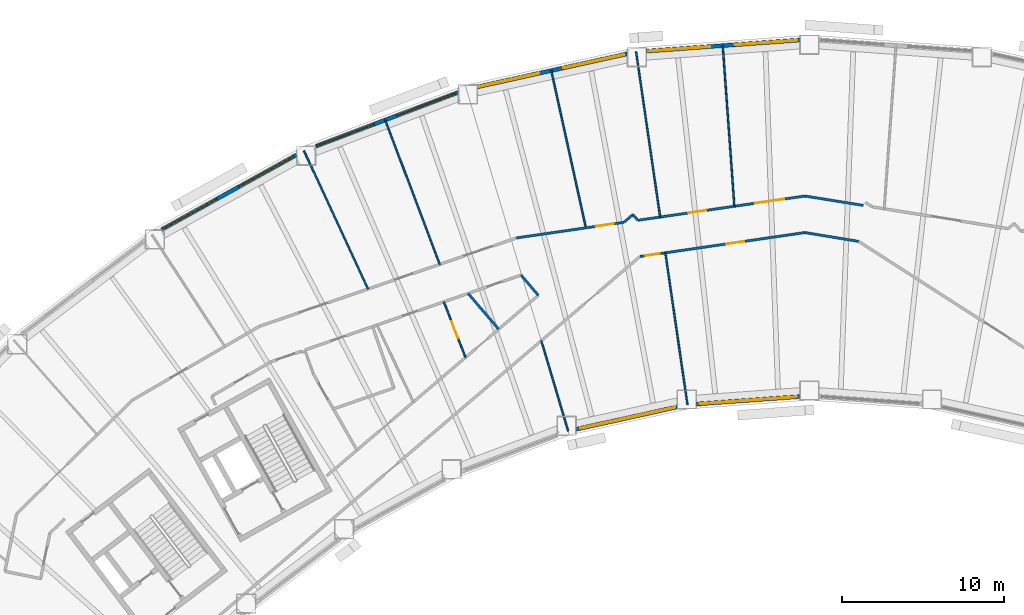
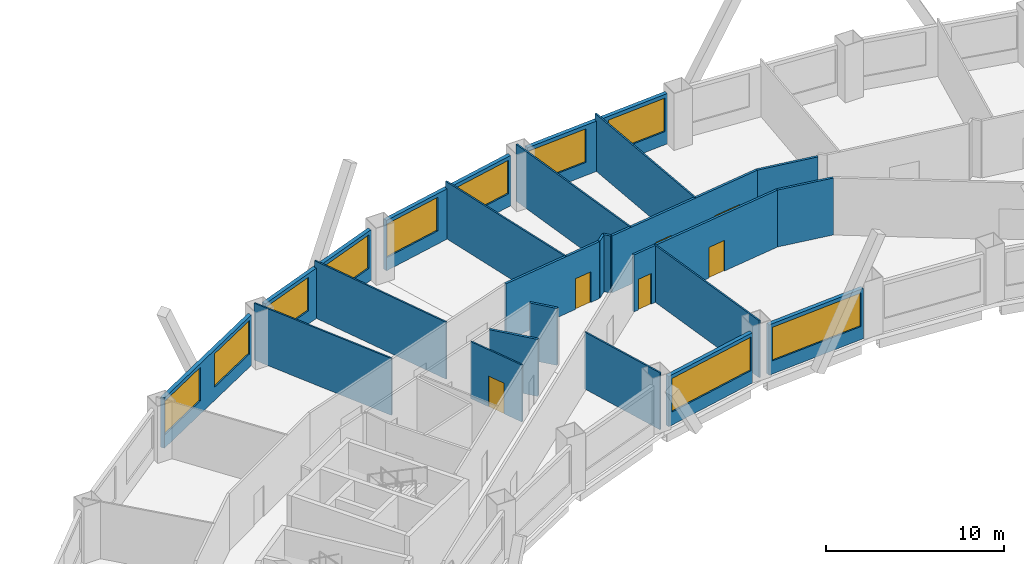
# One storey, part 5 of 12: 23 walls, 10 windows, 6 doors, 16 openings.
"""IFC4 building model written with IfcOpenShell, lengths in metres."""

from ifc_helpers import new_model, si_unit, direction, frame, frame_2d, origin, place, context, subcontext, project, spatial, rectangle, extrude, material, layer, layer_set, type_object, element, fill, save


model = new_model("IFC4")

# Units and contexts
model_context = context("Model", 3, precision=1e-05, world=origin(), true_north=direction((0.0, 1.0)))
body_context = subcontext(model_context, "Body", "Model", "MODEL_VIEW")
ifc_project = project(units=[si_unit("LENGTHUNIT", "METRE"), si_unit("AREAUNIT", "SQUARE_METRE"), si_unit("VOLUMEUNIT", "CUBIC_METRE"), si_unit("PLANEANGLEUNIT", "RADIAN"), si_unit("MASSUNIT", "GRAM", prefix="KILO")], contexts=[model_context])

# Site, building, storey
site_placement = place(None, origin())
site = spatial("IfcSite", under=ifc_project, at=site_placement, CompositionType="ELEMENT")
building_placement = place(site_placement, origin())
building = spatial("IfcBuilding", under=site, at=building_placement, Name="Tuul Gate Civic Tower", CompositionType="ELEMENT")
storey_placement = place(building_placement, frame((0.0, 0.0, 73.800048828125)))
storey = spatial("IfcBuildingStorey", under=building, at=storey_placement, Name="Level 16", CompositionType="ELEMENT", Elevation=73.800048828125)

# Wall
ifc_material_1 = material(Name="Gypsum board partition")
ifc_layer_1 = layer(ifc_material_1, 0.14990234375)
ifc_layer_set_1 = layer_set([ifc_layer_1], Name="Gypsum board partition")
wall_type_1 = type_object("IfcWallType", Name="Corridor wall P150", PredefinedType="PARTITIONING", material=ifc_layer_set_1)
wall_1_placement = place(storey_placement, frame((4.52978515625, 9.362060546875, 0.0), z_axis=(0.0, 0.0, 1.0), x_axis=(0.987352818749, -0.158538359108, 0.0)))
element("IfcWall", 1, at=wall_1_placement, inside=storey, type_object=wall_type_1, Name="p015", PredefinedType="PARTITIONING", context=body_context, shape_type="SweptSolid", body=[
    extrude(rectangle(XDim=3.649658203125, YDim=0.14990234375, at=frame_2d((1.82470703125, 0.0))), origin(), (0.0, 0.0, 1.0), 3.89990234375),
])

# Wall, opening, door
wall_2_placement = place(storey_placement, frame((-13.267333984375, 6.775634765625, 0.0), z_axis=(0.0, 0.0, 1.0), x_axis=(0.989601938801, 0.143833246233, 0.0)))
wall_2 = element("IfcWall", 2, at=wall_2_placement, inside=storey, type_object=wall_type_1, Name="p026", PredefinedType="PARTITIONING", context=body_context, shape_type="SweptSolid", body=[
    extrude(rectangle(XDim=6.687744140625, YDim=0.14990234375, at=frame_2d((3.34375, 0.0))), origin(), (0.0, 0.0, 1.0), 3.89990234375),
])
opening_1_placement = place(wall_2_placement, frame((4.95703125, 0.0, 0.0)))
opening_1 = element("IfcOpeningElement", 3, at=opening_1_placement, cuts=wall_2, Name="Opening E-D09", PredefinedType="OPENING", context=body_context, shape_type="SweptSolid", body=[
    extrude(rectangle(XDim=1.10009765625, YDim=2.10009765625, at=frame_2d((0.550048828125, 1.050048828125))), frame((0.0, 0.0849609375, 0.0), z_axis=(0.0, -1.0, 0.0), x_axis=(1.0, 0.0, 0.0)), (0.0, 0.0, 1.0), 0.169921875),
])
ifc_material_2 = material(Name="Timber door leaf", Category="wood")
door_type_1 = type_object("IfcDoorType", Name="Door D11", OperationType="NOTDEFINED", PredefinedType="DOOR", material=ifc_material_2)
door_1_placement = place(opening_1_placement, origin())
door_1 = element("IfcDoor", 4, at=door_1_placement, inside=storey, type_object=door_type_1, Name="Door E-D09", OperationType="SINGLE_SWING_LEFT", OverallHeight=2.10009765625, OverallWidth=1.10009765625, PredefinedType="DOOR", context=body_context, shape_type="SweptSolid", body=[
    extrude(rectangle(XDim=1.10009765625, YDim=2.10009765625, at=frame_2d((0.550048828125, 1.050048828125))), frame((0.0, 0.02490234375, 0.0), z_axis=(0.0, -1.0, 0.0), x_axis=(1.0, 0.0, 0.0)), (0.0, 0.0, 1.0), 0.050048828125),
])
fill(opening_1, door_1)

# Wall, openings, doors
wall_3_placement = place(storey_placement, frame((-5.7685546875, 7.865478515625, 0.0), z_axis=(0.0, 0.0, 1.0), x_axis=(0.98960308203, 0.143825380361, 0.0)))
wall_3 = element("IfcWall", 5, at=wall_3_placement, inside=storey, type_object=wall_type_1, Name="p027", PredefinedType="PARTITIONING", context=body_context, shape_type="SweptSolid", body=[
    extrude(rectangle(XDim=10.405517578125, YDim=0.14990234375, at=frame_2d((5.20263671875, 0.0))), origin(), (0.0, 0.0, 1.0), 3.89990234375),
])
opening_2_placement = place(wall_3_placement, frame((7.307373046875, 0.0, 0.0)))
opening_2 = element("IfcOpeningElement", 6, at=opening_2_placement, cuts=wall_3, Name="Opening E-D07", PredefinedType="OPENING", context=body_context, shape_type="SweptSolid", body=[
    extrude(rectangle(XDim=1.800048828125, YDim=2.10009765625, at=frame_2d((0.89990234375, 1.050048828125))), frame((0.0, 0.0849609375, 0.0), z_axis=(0.0, -1.0, 0.0), x_axis=(1.0, 0.0, 0.0)), (0.0, 0.0, 1.0), 0.169921875),
])
opening_3_placement = place(wall_3_placement, frame((3.144287109375, 0.0, 0.0)))
opening_3 = element("IfcOpeningElement", 7, at=opening_3_placement, cuts=wall_3, Name="Opening E-D08", PredefinedType="OPENING", context=body_context, shape_type="SweptSolid", body=[
    extrude(rectangle(XDim=1.10009765625, YDim=2.10009765625, at=frame_2d((0.550048828125, 1.050048828125))), frame((0.0, 0.0849609375, 0.0), z_axis=(0.0, -1.0, 0.0), x_axis=(1.0, 0.0, 0.0)), (0.0, 0.0, 1.0), 0.169921875),
])
door_2_placement = place(opening_3_placement, origin())
door_2 = element("IfcDoor", 8, at=door_2_placement, inside=storey, type_object=door_type_1, Name="Door E-D08", OperationType="SINGLE_SWING_RIGHT", OverallHeight=2.10009765625, OverallWidth=1.10009765625, PredefinedType="DOOR", context=body_context, shape_type="SweptSolid", body=[
    extrude(rectangle(XDim=1.10009765625, YDim=2.10009765625, at=frame_2d((0.550048828125, 1.050048828125))), frame((0.0, 0.02490234375, 0.0), z_axis=(0.0, -1.0, 0.0), x_axis=(1.0, 0.0, 0.0)), (0.0, 0.0, 1.0), 0.050048828125),
])
fill(opening_3, door_2)
ifc_material_3 = material(Name="Timber door leaf, double", Category="wood")
door_type_2 = type_object("IfcDoorType", Name="Door D18", OperationType="DOUBLE_DOOR_SINGLE_SWING", PredefinedType="DOOR", material=ifc_material_3)
door_3_placement = place(opening_2_placement, origin())
door_3 = element("IfcDoor", 9, at=door_3_placement, inside=storey, type_object=door_type_2, Name="Door E-D07", OperationType="DOUBLE_DOOR_SINGLE_SWING", OverallHeight=2.10009765625, OverallWidth=1.800048828125, PredefinedType="DOOR", context=body_context, shape_type="SweptSolid", body=[
    extrude(rectangle(XDim=1.800048828125, YDim=2.10009765625, at=frame_2d((0.89990234375, 1.050048828125))), frame((0.0, 0.02490234375, 0.0), z_axis=(0.0, -1.0, 0.0), x_axis=(1.0, 0.0, 0.0)), (0.0, 0.0, 1.0), 0.050048828125),
])
fill(opening_2, door_3)

# Walls
wall_4_placement = place(storey_placement, frame((-6.081298828125, 8.217529296875, 0.0), z_axis=(0.0, 0.0, 1.0), x_axis=(0.649239612562, -0.760583937169, 0.0)))
element("IfcWall", 10, at=wall_4_placement, inside=storey, type_object=wall_type_1, Name="p031", PredefinedType="PARTITIONING", context=body_context, shape_type="SweptSolid", body=[
    extrude(rectangle(XDim=0.453857421875, YDim=0.14990234375, at=frame_2d((0.22705078125, 0.0))), origin(), (0.0, 0.0, 1.0), 3.89990234375),
])
wall_5_placement = place(storey_placement, frame((-6.63916015625, 7.741943359375, 0.0), z_axis=(0.0, 0.0, 1.0), x_axis=(0.760712969529, 0.64908842078, 0.0)))
element("IfcWall", 11, at=wall_5_placement, inside=storey, type_object=wall_type_1, Name="p033", PredefinedType="PARTITIONING", context=body_context, shape_type="SweptSolid", body=[
    extrude(rectangle(XDim=0.732666015625, YDim=0.14990234375, at=frame_2d((0.3662109375, 0.0))), origin(), (0.0, 0.0, 1.0), 3.89990234375),
])

# Wall, openings, doors
wall_6_placement = place(storey_placement, frame((-5.643798828125, 5.62939453125, 0.0), z_axis=(0.0, 0.0, 1.0), x_axis=(0.989631274863, 0.143631263354, 0.0)))
wall_6 = element("IfcWall", 12, at=wall_6_placement, inside=storey, type_object=wall_type_1, Name="p047", PredefinedType="PARTITIONING", context=body_context, shape_type="SweptSolid", body=[
    extrude(rectangle(XDim=10.28369140625, YDim=0.14990234375, at=frame_2d((5.141845703125, 0.0))), origin(), (0.0, 0.0, 1.0), 3.89990234375),
])
opening_4_placement = place(wall_6_placement, frame((5.380859375, 0.0, 0.0)))
opening_4 = element("IfcOpeningElement", 13, at=opening_4_placement, cuts=wall_6, Name="Opening E-D29", PredefinedType="OPENING", context=body_context, shape_type="SweptSolid", body=[
    extrude(rectangle(XDim=1.10009765625, YDim=2.10009765625, at=frame_2d((0.550048828125, 1.050048828125))), frame((0.0, 0.0849609375, 0.0), z_axis=(0.0, -1.0, 0.0), x_axis=(1.0, 0.0, 0.0)), (0.0, 0.0, 1.0), 0.169921875),
])
opening_5_placement = place(wall_6_placement, frame((0.339111328125, 0.0, 0.0)))
opening_5 = element("IfcOpeningElement", 14, at=opening_5_placement, cuts=wall_6, Name="Opening E-D30", PredefinedType="OPENING", context=body_context, shape_type="SweptSolid", body=[
    extrude(rectangle(XDim=0.89990234375, YDim=2.10009765625, at=frame_2d((0.449951171875, 1.050048828125))), frame((0.0, 0.0849609375, 0.0), z_axis=(0.0, -1.0, 0.0), x_axis=(1.0, 0.0, 0.0)), (0.0, 0.0, 1.0), 0.169921875),
])
ifc_material_4 = material(Name="Timber door leaf", Category="wood")
door_type_3 = type_object("IfcDoorType", Name="Door D09", OperationType="NOTDEFINED", PredefinedType="DOOR", material=ifc_material_4)
door_4_placement = place(opening_5_placement, frame((0.89990234375, 0.0, 0.0), z_axis=(0.0, 0.0, 1.0), x_axis=(-1.0, 0.0, 0.0)))
door_4 = element("IfcDoor", 15, at=door_4_placement, inside=storey, type_object=door_type_3, Name="Door E-D30", OperationType="SINGLE_SWING_LEFT", OverallHeight=2.10009765625, OverallWidth=0.89990234375, PredefinedType="DOOR", context=body_context, shape_type="SweptSolid", body=[
    extrude(rectangle(XDim=0.89990234375, YDim=2.10009765625, at=frame_2d((0.449951171875, 1.050048828125))), frame((0.0, 0.02490234375, 0.0), z_axis=(0.0, -1.0, 0.0), x_axis=(1.0, 0.0, 0.0)), (0.0, 0.0, 1.0), 0.050048828125),
])
fill(opening_5, door_4)
door_5_placement = place(opening_4_placement, frame((1.10009765625, 0.0, 0.0), z_axis=(0.0, 0.0, 1.0), x_axis=(-1.0, 0.0, 0.0)))
door_5 = element("IfcDoor", 16, at=door_5_placement, inside=storey, type_object=door_type_1, Name="Door E-D29", OperationType="SINGLE_SWING_LEFT", OverallHeight=2.10009765625, OverallWidth=1.10009765625, PredefinedType="DOOR", context=body_context, shape_type="SweptSolid", body=[
    extrude(rectangle(XDim=1.10009765625, YDim=2.10009765625, at=frame_2d((0.550048828125, 1.050048828125))), frame((0.0, 0.02490234375, 0.0), z_axis=(0.0, -1.0, 0.0), x_axis=(1.0, 0.0, 0.0)), (0.0, 0.0, 1.0), 0.050048828125),
])
fill(opening_4, door_5)

# Walls
wall_7_placement = place(storey_placement, frame((4.533203125, 7.1064453125, 0.0), z_axis=(0.0, 0.0, 1.0), x_axis=(0.986730008667, -0.162369609212, 0.0)))
element("IfcWall", 17, at=wall_7_placement, inside=storey, type_object=wall_type_1, Name="p048", PredefinedType="PARTITIONING", context=body_context, shape_type="SweptSolid", body=[
    extrude(rectangle(XDim=3.35595703125, YDim=0.14990234375, at=frame_2d((1.677978515625, 0.0))), origin(), (0.0, 0.0, 1.0), 3.89990234375),
])
wall_8_placement = place(storey_placement, frame((-12.990478515625, 4.480712890625, 0.0), z_axis=(0.0, 0.0, 1.0), x_axis=(0.649161704446, -0.760650433169, 0.0)))
element("IfcWall", 18, at=wall_8_placement, inside=storey, type_object=wall_type_1, Name="p067", PredefinedType="PARTITIONING", context=body_context, shape_type="SweptSolid", body=[
    extrude(rectangle(XDim=1.642333984375, YDim=0.14990234375, at=frame_2d((0.8212890625, 0.0))), origin(), (0.0, 0.0, 1.0), 3.89990234375),
])
wall_9_placement = place(storey_placement, frame((-16.257080078125, 3.34814453125, 0.0), z_axis=(0.0, 0.0, 1.0), x_axis=(0.649161466591, -0.760650636162, 0.0)))
element("IfcWall", 19, at=wall_9_placement, inside=storey, type_object=wall_type_1, Name="p068", PredefinedType="PARTITIONING", context=body_context, shape_type="SweptSolid", body=[
    extrude(rectangle(XDim=2.901611328125, YDim=0.14990234375, at=frame_2d((1.45068359375, 0.0))), origin(), (0.0, 0.0, 1.0), 3.89990234375),
])

# Wall, openings, windows
ifc_material_5 = material(Name="Precast concrete C40/50", Category="concrete")
ifc_layer_2 = layer(ifc_material_5, 0.25)
ifc_layer_set_2 = layer_set([ifc_layer_2], Name="Precast concrete C40/50")
wall_type_2 = type_object("IfcWallType", Name="External wall", PredefinedType="STANDARD", material=ifc_layer_set_2)
wall_10_placement = place(storey_placement, frame((4.2080078125, 18.9892578125, 0.0), z_axis=(0.0, 0.0, 1.0), x_axis=(-0.997387702814, -0.072234135106, 0.0)))
wall_10 = element("IfcWall", 20, at=wall_10_placement, inside=storey, type_object=wall_type_2, Name="External wall", PredefinedType="STANDARD", context=body_context, shape_type="SweptSolid", body=[
    extrude(rectangle(XDim=9.4736328125, YDim=0.25, at=frame_2d((4.73681640625, 0.0))), origin(), (0.0, 0.0, 1.0), 3.449951171875),
])
opening_6_placement = place(wall_10_placement, frame((0.14990234375, 0.0, 0.89990234375)))
opening_6 = element("IfcOpeningElement", 21, at=opening_6_placement, cuts=wall_10, Name="Opening W22", PredefinedType="OPENING", context=body_context, shape_type="SweptSolid", body=[
    extrude(rectangle(XDim=3.85009765625, YDim=2.300048828125, at=frame_2d((1.925048828125, 1.14990234375))), frame((0.0, 0.135009765625, 0.0), z_axis=(0.0, -1.0, 0.0), x_axis=(1.0, 0.0, 0.0)), (0.0, 0.0, 1.0), 0.27001953125),
])
opening_7_placement = place(wall_10_placement, frame((5.52099609375, 0.0, 0.89990234375)))
opening_7 = element("IfcOpeningElement", 22, at=opening_7_placement, cuts=wall_10, Name="Opening W22", PredefinedType="OPENING", context=body_context, shape_type="SweptSolid", body=[
    extrude(rectangle(XDim=3.85009765625, YDim=2.300048828125, at=frame_2d((1.925048828125, 1.14990234375))), frame((0.0, 0.135009765625, 0.0), z_axis=(0.0, -1.0, 0.0), x_axis=(1.0, 0.0, 0.0)), (0.0, 0.0, 1.0), 0.27001953125),
])
ifc_material_6 = material(Name="Glass", Category="glass")
window_type_1 = type_object("IfcWindowType", Name="Window W22 3850 x 2300", PartitioningType="SINGLE_PANEL", PredefinedType="WINDOW", material=ifc_material_6)
window_1_placement = place(opening_6_placement, origin())
window_1 = element("IfcWindow", 23, at=window_1_placement, inside=storey, type_object=window_type_1, Name="Window", OverallHeight=2.300048828125, OverallWidth=3.85009765625, PartitioningType="SINGLE_PANEL", PredefinedType="WINDOW", context=body_context, shape_type="SweptSolid", body=[
    extrude(rectangle(XDim=3.85009765625, YDim=2.300048828125, at=frame_2d((1.925048828125, 1.14990234375))), frame((0.0, 0.030029296875, 0.0), z_axis=(0.0, -1.0, 0.0), x_axis=(1.0, 0.0, 0.0)), (0.0, 0.0, 1.0), 0.06005859375),
])
fill(opening_6, window_1)
window_2_placement = place(opening_7_placement, origin())
window_2 = element("IfcWindow", 24, at=window_2_placement, inside=storey, type_object=window_type_1, Name="Window", OverallHeight=2.300048828125, OverallWidth=3.85009765625, PartitioningType="SINGLE_PANEL", PredefinedType="WINDOW", context=body_context, shape_type="SweptSolid", body=[
    extrude(rectangle(XDim=3.85009765625, YDim=2.300048828125, at=frame_2d((1.925048828125, 1.14990234375))), frame((0.0, 0.030029296875, 0.0), z_axis=(0.0, -1.0, 0.0), x_axis=(1.0, 0.0, 0.0)), (0.0, 0.0, 1.0), 0.06005859375),
])
fill(opening_7, window_2)

wall_11_placement = place(storey_placement, frame((-6.44091796875, 18.135986328125, 0.0), z_axis=(0.0, 0.0, 1.0), x_axis=(-0.976566757171, -0.215214703934, 0.0)))
wall_11 = element("IfcWall", 25, at=wall_11_placement, inside=storey, type_object=wall_type_2, Name="External wall", PredefinedType="STANDARD", context=body_context, shape_type="SweptSolid", body=[
    extrude(rectangle(XDim=9.448486328125, YDim=0.25, at=frame_2d((4.72412109375, 0.0))), origin(), (0.0, 0.0, 1.0), 3.449951171875),
])
opening_8_placement = place(wall_11_placement, frame((0.185302734375, 0.0, 0.89990234375)))
opening_8 = element("IfcOpeningElement", 26, at=opening_8_placement, cuts=wall_11, Name="Opening W22", PredefinedType="OPENING", context=body_context, shape_type="SweptSolid", body=[
    extrude(rectangle(XDim=3.85009765625, YDim=2.300048828125, at=frame_2d((1.925048828125, 1.14990234375))), frame((0.0, 0.135009765625, 0.0), z_axis=(0.0, -1.0, 0.0), x_axis=(1.0, 0.0, 0.0)), (0.0, 0.0, 1.0), 0.27001953125),
])
opening_9_placement = place(wall_11_placement, frame((5.556640625, 0.0, 0.89990234375)))
opening_9 = element("IfcOpeningElement", 27, at=opening_9_placement, cuts=wall_11, Name="Opening W22", PredefinedType="OPENING", context=body_context, shape_type="SweptSolid", body=[
    extrude(rectangle(XDim=3.85009765625, YDim=2.300048828125, at=frame_2d((1.925048828125, 1.14990234375))), frame((0.0, 0.135009765625, 0.0), z_axis=(0.0, -1.0, 0.0), x_axis=(1.0, 0.0, 0.0)), (0.0, 0.0, 1.0), 0.27001953125),
])
window_3_placement = place(opening_8_placement, origin())
window_3 = element("IfcWindow", 28, at=window_3_placement, inside=storey, type_object=window_type_1, Name="Window", OverallHeight=2.300048828125, OverallWidth=3.85009765625, PartitioningType="SINGLE_PANEL", PredefinedType="WINDOW", context=body_context, shape_type="SweptSolid", body=[
    extrude(rectangle(XDim=3.85009765625, YDim=2.300048828125, at=frame_2d((1.925048828125, 1.14990234375))), frame((0.0, 0.030029296875, 0.0), z_axis=(0.0, -1.0, 0.0), x_axis=(1.0, 0.0, 0.0)), (0.0, 0.0, 1.0), 0.06005859375),
])
fill(opening_8, window_3)
window_4_placement = place(opening_9_placement, origin())
window_4 = element("IfcWindow", 29, at=window_4_placement, inside=storey, type_object=window_type_1, Name="Window", OverallHeight=2.300048828125, OverallWidth=3.85009765625, PartitioningType="SINGLE_PANEL", PredefinedType="WINDOW", context=body_context, shape_type="SweptSolid", body=[
    extrude(rectangle(XDim=3.85009765625, YDim=2.300048828125, at=frame_2d((1.925048828125, 1.14990234375))), frame((0.0, 0.030029296875, 0.0), z_axis=(0.0, -1.0, 0.0), x_axis=(1.0, 0.0, 0.0)), (0.0, 0.0, 1.0), 0.06005859375),
])
fill(opening_9, window_4)

wall_12_placement = place(storey_placement, frame((-16.867919921875, 15.75830078125, 0.0), z_axis=(0.0, 0.0, 1.0), x_axis=(-0.935342969648, -0.353742178897, 0.0)))
wall_12 = element("IfcWall", 30, at=wall_12_placement, inside=storey, type_object=wall_type_2, Name="External wall", PredefinedType="STANDARD", context=body_context, shape_type="SweptSolid", body=[
    extrude(rectangle(XDim=9.39453125, YDim=0.25, at=frame_2d((4.697265625, 0.0))), origin(), (0.0, 0.0, 1.0), 3.449951171875),
])
opening_10_placement = place(wall_12_placement, frame((0.209716796875, 0.0, 0.89990234375)))
opening_10 = element("IfcOpeningElement", 31, at=opening_10_placement, cuts=wall_12, Name="Opening W22", PredefinedType="OPENING", context=body_context, shape_type="SweptSolid", body=[
    extrude(rectangle(XDim=3.85009765625, YDim=2.300048828125, at=frame_2d((1.925048828125, 1.14990234375))), frame((0.0, 0.135009765625, 0.0), z_axis=(0.0, -1.0, 0.0), x_axis=(1.0, 0.0, 0.0)), (0.0, 0.0, 1.0), 0.27001953125),
])
opening_11_placement = place(wall_12_placement, frame((5.549072265625, 0.0, 0.89990234375)))
opening_11 = element("IfcOpeningElement", 32, at=opening_11_placement, cuts=wall_12, Name="Opening W100", PredefinedType="OPENING", context=body_context, shape_type="SweptSolid", body=[
    extrude(rectangle(XDim=3.800048828125, YDim=2.300048828125, at=frame_2d((1.89990234375, 1.14990234375))), frame((0.0, 0.135009765625, 0.0), z_axis=(0.0, -1.0, 0.0), x_axis=(1.0, 0.0, 0.0)), (0.0, 0.0, 1.0), 0.27001953125),
])
ifc_material_7 = material(Name="Glass", Category="glass")
window_type_2 = type_object("IfcWindowType", Name="Window W100 3800 x 2300", PartitioningType="SINGLE_PANEL", PredefinedType="WINDOW", material=ifc_material_7)
window_5_placement = place(opening_11_placement, origin())
window_5 = element("IfcWindow", 33, at=window_5_placement, inside=storey, type_object=window_type_2, Name="Window", OverallHeight=2.300048828125, OverallWidth=3.800048828125, PartitioningType="SINGLE_PANEL", PredefinedType="WINDOW", context=body_context, shape_type="SweptSolid", body=[
    extrude(rectangle(XDim=3.800048828125, YDim=2.300048828125, at=frame_2d((1.89990234375, 1.14990234375))), frame((0.0, 0.030029296875, 0.0), z_axis=(0.0, -1.0, 0.0), x_axis=(1.0, 0.0, 0.0)), (0.0, 0.0, 1.0), 0.06005859375),
])
fill(opening_11, window_5)
window_6_placement = place(opening_10_placement, origin())
window_6 = element("IfcWindow", 34, at=window_6_placement, inside=storey, type_object=window_type_1, Name="Window", OverallHeight=2.300048828125, OverallWidth=3.85009765625, PartitioningType="SINGLE_PANEL", PredefinedType="WINDOW", context=body_context, shape_type="SweptSolid", body=[
    extrude(rectangle(XDim=3.85009765625, YDim=2.300048828125, at=frame_2d((1.925048828125, 1.14990234375))), frame((0.0, 0.030029296875, 0.0), z_axis=(0.0, -1.0, 0.0), x_axis=(1.0, 0.0, 0.0)), (0.0, 0.0, 1.0), 0.06005859375),
])
fill(opening_10, window_6)

wall_13_placement = place(storey_placement, frame((-26.85498046875, 11.89990234375, 0.0), z_axis=(0.0, 0.0, 1.0), x_axis=(-0.874624944876, -0.484800170999, 0.0)))
wall_13 = element("IfcWall", 35, at=wall_13_placement, inside=storey, type_object=wall_type_2, Name="External wall", PredefinedType="STANDARD", context=body_context, shape_type="SweptSolid", body=[
    extrude(rectangle(XDim=9.521484375, YDim=0.25, at=frame_2d((4.7607421875, 0.0))), origin(), (0.0, 0.0, 1.0), 3.449951171875),
])
opening_12_placement = place(wall_13_placement, frame((0.22265625, 0.0, 0.89990234375)))
opening_12 = element("IfcOpeningElement", 36, at=opening_12_placement, cuts=wall_13, Name="Opening W22", PredefinedType="OPENING", context=body_context, shape_type="SweptSolid", body=[
    extrude(rectangle(XDim=3.85009765625, YDim=2.300048828125, at=frame_2d((1.925048828125, 1.14990234375))), frame((0.0, 0.135009765625, 0.0), z_axis=(0.0, -1.0, 0.0), x_axis=(1.0, 0.0, 0.0)), (0.0, 0.0, 1.0), 0.27001953125),
])
opening_13_placement = place(wall_13_placement, frame((5.593994140625, 0.0, 0.89990234375)))
opening_13 = element("IfcOpeningElement", 37, at=opening_13_placement, cuts=wall_13, Name="Opening W22", PredefinedType="OPENING", context=body_context, shape_type="SweptSolid", body=[
    extrude(rectangle(XDim=3.85009765625, YDim=2.300048828125, at=frame_2d((1.925048828125, 1.14990234375))), frame((0.0, 0.135009765625, 0.0), z_axis=(0.0, -1.0, 0.0), x_axis=(1.0, 0.0, 0.0)), (0.0, 0.0, 1.0), 0.27001953125),
])
window_7_placement = place(opening_12_placement, origin())
window_7 = element("IfcWindow", 38, at=window_7_placement, inside=storey, type_object=window_type_1, Name="Window", OverallHeight=2.300048828125, OverallWidth=3.85009765625, PartitioningType="SINGLE_PANEL", PredefinedType="WINDOW", context=body_context, shape_type="SweptSolid", body=[
    extrude(rectangle(XDim=3.85009765625, YDim=2.300048828125, at=frame_2d((1.925048828125, 1.14990234375))), frame((0.0, 0.030029296875, 0.0), z_axis=(0.0, -1.0, 0.0), x_axis=(1.0, 0.0, 0.0)), (0.0, 0.0, 1.0), 0.06005859375),
])
fill(opening_12, window_7)
window_8_placement = place(opening_13_placement, origin())
window_8 = element("IfcWindow", 39, at=window_8_placement, inside=storey, type_object=window_type_1, Name="Window", OverallHeight=2.300048828125, OverallWidth=3.85009765625, PartitioningType="SINGLE_PANEL", PredefinedType="WINDOW", context=body_context, shape_type="SweptSolid", body=[
    extrude(rectangle(XDim=3.85009765625, YDim=2.300048828125, at=frame_2d((1.925048828125, 1.14990234375))), frame((0.0, 0.030029296875, 0.0), z_axis=(0.0, -1.0, 0.0), x_axis=(1.0, 0.0, 0.0)), (0.0, 0.0, 1.0), 0.06005859375),
])
fill(opening_13, window_8)

# Wall, opening, window
wall_14_placement = place(storey_placement, frame((-9.576904296875, -5.031982421875, 0.0), z_axis=(0.0, 0.0, 1.0), x_axis=(0.976560321841, 0.215243903065, 0.0)))
wall_14 = element("IfcWall", 40, at=wall_14_placement, inside=storey, type_object=wall_type_2, Name="External wall", PredefinedType="STANDARD", context=body_context, shape_type="SweptSolid", body=[
    extrude(rectangle(XDim=6.362060546875, YDim=0.25, at=frame_2d((3.18115234375, 0.0))), origin(), (0.0, 0.0, 1.0), 3.449951171875),
])
opening_14_placement = place(wall_14_placement, frame((0.25244140625, 0.0, 0.89990234375)))
opening_14 = element("IfcOpeningElement", 41, at=opening_14_placement, cuts=wall_14, Name="Opening W26", PredefinedType="OPENING", context=body_context, shape_type="SweptSolid", body=[
    extrude(rectangle(XDim=6.0, YDim=2.300048828125, at=frame_2d((3.0, 1.14990234375))), frame((0.0, 0.135009765625, 0.0), z_axis=(0.0, -1.0, 0.0), x_axis=(1.0, 0.0, 0.0)), (0.0, 0.0, 1.0), 0.27001953125),
])
ifc_material_8 = material(Name="Glass", Category="glass")
window_type_3 = type_object("IfcWindowType", Name="Window W26 6000 x 2300", PartitioningType="SINGLE_PANEL", PredefinedType="WINDOW", material=ifc_material_8)
window_9_placement = place(opening_14_placement, origin())
window_9 = element("IfcWindow", 42, at=window_9_placement, inside=storey, type_object=window_type_3, Name="Window", OverallHeight=2.300048828125, OverallWidth=6.0, PartitioningType="SINGLE_PANEL", PredefinedType="WINDOW", context=body_context, shape_type="SweptSolid", body=[
    extrude(rectangle(XDim=6.0, YDim=2.300048828125, at=frame_2d((3.0, 1.14990234375))), frame((0.0, 0.030029296875, 0.0), z_axis=(0.0, -1.0, 0.0), x_axis=(1.0, 0.0, 0.0)), (0.0, 0.0, 1.0), 0.06005859375),
])
fill(opening_14, window_9)

wall_15_placement = place(storey_placement, frame((-2.1640625, -3.47998046875, 0.0), z_axis=(0.0, 0.0, 1.0), x_axis=(0.997382879348, 0.072300705277, 0.0)))
wall_15 = element("IfcWall", 43, at=wall_15_placement, inside=storey, type_object=wall_type_2, Name="External wall", PredefinedType="STANDARD", context=body_context, shape_type="SweptSolid", body=[
    extrude(rectangle(XDim=6.388671875, YDim=0.25, at=frame_2d((3.1943359375, 0.0))), origin(), (0.0, 0.0, 1.0), 3.449951171875),
])
opening_15_placement = place(wall_15_placement, frame((0.2177734375, 0.0, 0.89990234375)))
opening_15 = element("IfcOpeningElement", 44, at=opening_15_placement, cuts=wall_15, Name="Opening W26", PredefinedType="OPENING", context=body_context, shape_type="SweptSolid", body=[
    extrude(rectangle(XDim=6.0, YDim=2.300048828125, at=frame_2d((3.0, 1.14990234375))), frame((0.0, 0.135009765625, 0.0), z_axis=(0.0, -1.0, 0.0), x_axis=(1.0, 0.0, 0.0)), (0.0, 0.0, 1.0), 0.27001953125),
])
window_10_placement = place(opening_15_placement, origin())
window_10 = element("IfcWindow", 45, at=window_10_placement, inside=storey, type_object=window_type_3, Name="Window", OverallHeight=2.300048828125, OverallWidth=6.0, PartitioningType="SINGLE_PANEL", PredefinedType="WINDOW", context=body_context, shape_type="SweptSolid", body=[
    extrude(rectangle(XDim=6.0, YDim=2.300048828125, at=frame_2d((3.0, 1.14990234375))), frame((0.0, 0.030029296875, 0.0), z_axis=(0.0, -1.0, 0.0), x_axis=(1.0, 0.0, 0.0)), (0.0, 0.0, 1.0), 0.06005859375),
])
fill(opening_15, window_10)

# Walls
ifc_material_9 = material(Name="Gypsum board partition")
ifc_layer_3 = layer(ifc_material_9, 0.10009765625)
ifc_layer_set_3 = layer_set([ifc_layer_3], Name="Gypsum board partition")
wall_type_3 = type_object("IfcWallType", Name="Partition P100", PredefinedType="PARTITIONING", material=ifc_layer_set_3)
wall_16_placement = place(storey_placement, frame((-0.540283203125, 18.650390625, 0.0), z_axis=(0.0, 0.0, 1.0), x_axis=(0.072236042888, -0.997387564645, 0.0)))
element("IfcWall", 46, at=wall_16_placement, inside=storey, type_object=wall_type_3, Name="p023", PredefinedType="PARTITIONING", context=body_context, shape_type="SweptSolid", body=[
    extrude(rectangle(XDim=9.946533203125, YDim=0.10009765625, at=frame_2d((4.97314453125, 0.0))), origin(), (0.0, 0.0, 1.0), 3.89990234375),
])
wall_17_placement = place(storey_placement, frame((-5.888916015625, 18.262939453125, 0.0), z_axis=(0.0, 0.0, 1.0), x_axis=(0.144116984792, -0.98956065741, 0.0)))
element("IfcWall", 47, at=wall_17_placement, inside=storey, type_object=wall_type_3, Name="p028", PredefinedType="PARTITIONING", context=body_context, shape_type="SweptSolid", body=[
    extrude(rectangle(XDim=10.306640625, YDim=0.10009765625, at=frame_2d((5.1533203125, 0.0))), origin(), (0.0, 0.0, 1.0), 3.89990234375),
])
wall_18_placement = place(storey_placement, frame((-4.08203125, 5.85595703125, 0.0), z_axis=(0.0, 0.0, 1.0), x_axis=(0.14411775992, -0.989560544523, 0.0)))
element("IfcWall", 48, at=wall_18_placement, inside=storey, type_object=wall_type_3, Name="p029", PredefinedType="PARTITIONING", context=body_context, shape_type="SweptSolid", body=[
    extrude(rectangle(XDim=9.479736328125, YDim=0.10009765625, at=frame_2d((4.73974609375, 0.0))), origin(), (0.0, 0.0, 1.0), 3.89990234375),
])
wall_19_placement = place(storey_placement, frame((-11.125732421875, 17.10888671875, 0.0), z_axis=(0.0, 0.0, 1.0), x_axis=(0.215219598207, -0.976565678563, 0.0)))
element("IfcWall", 49, at=wall_19_placement, inside=storey, type_object=wall_type_3, Name="p030", PredefinedType="PARTITIONING", context=body_context, shape_type="SweptSolid", body=[
    extrude(rectangle(XDim=9.94384765625, YDim=0.10009765625, at=frame_2d((4.971923828125, 0.0))), origin(), (0.0, 0.0, 1.0), 3.89990234375),
])
wall_20_placement = place(storey_placement, frame((-21.378662109375, 14.0576171875, 0.0), z_axis=(0.0, 0.0, 1.0), x_axis=(0.353727923549, -0.935348360827, 0.0)))
element("IfcWall", 50, at=wall_20_placement, inside=storey, type_object=wall_type_3, Name="p034", PredefinedType="PARTITIONING", context=body_context, shape_type="SweptSolid", body=[
    extrude(rectangle(XDim=9.528076171875, YDim=0.10009765625, at=frame_2d((4.76416015625, 0.0))), origin(), (0.0, 0.0, 1.0), 3.89990234375),
])
wall_21_placement = place(storey_placement, frame((-26.39453125, 12.160888671875, 0.0), z_axis=(0.0, 0.0, 1.0), x_axis=(0.420345894439, -0.907363945189, 0.0)))
element("IfcWall", 51, at=wall_21_placement, inside=storey, type_object=wall_type_3, Name="p036", PredefinedType="PARTITIONING", context=body_context, shape_type="SweptSolid", body=[
    extrude(rectangle(XDim=9.410888671875, YDim=0.10009765625, at=frame_2d((4.70556640625, 0.0))), origin(), (0.0, 0.0, 1.0), 3.89990234375),
])
wall_22_placement = place(storey_placement, frame((-11.74267578125, 0.4287109375, 0.0), z_axis=(0.0, 0.0, 1.0), x_axis=(0.285210923821, -0.958464777096, 0.0)))
element("IfcWall", 52, at=wall_22_placement, inside=storey, type_object=wall_type_3, Name="p052", PredefinedType="PARTITIONING", context=body_context, shape_type="SweptSolid", body=[
    extrude(rectangle(XDim=5.819091796875, YDim=0.10009765625, at=frame_2d((2.90966796875, 0.0))), origin(), (0.0, 0.0, 1.0), 3.89990234375),
])

# Wall, opening, door
wall_23_placement = place(storey_placement, frame((-17.754638671875, 2.828857421875, 0.0), z_axis=(0.0, 0.0, 1.0), x_axis=(0.36242707317, -0.932012133308, 0.0)))
wall_23 = element("IfcWall", 53, at=wall_23_placement, inside=storey, type_object=wall_type_3, Name="p072", PredefinedType="PARTITIONING", context=body_context, shape_type="SweptSolid", body=[
    extrude(rectangle(XDim=3.68408203125, YDim=0.10009765625, at=frame_2d((1.842041015625, 0.0))), origin(), (0.0, 0.0, 1.0), 3.89990234375),
])
opening_16_placement = place(wall_23_placement, frame((1.2919921875, 0.0, 0.0)))
opening_16 = element("IfcOpeningElement", 54, at=opening_16_placement, cuts=wall_23, Name="Opening E-D33", PredefinedType="OPENING", context=body_context, shape_type="SweptSolid", body=[
    extrude(rectangle(XDim=1.10009765625, YDim=2.10009765625, at=frame_2d((0.550048828125, 1.050048828125))), frame((0.0, 0.06005859375, 0.0), z_axis=(0.0, -1.0, 0.0), x_axis=(1.0, 0.0, 0.0)), (0.0, 0.0, 1.0), 0.1201171875),
])
door_6_placement = place(opening_16_placement, frame((1.10009765625, 0.0, 0.0), z_axis=(0.0, 0.0, 1.0), x_axis=(-1.0, 0.0, 0.0)))
door_6 = element("IfcDoor", 55, at=door_6_placement, inside=storey, type_object=door_type_1, Name="Door E-D33", OperationType="SINGLE_SWING_LEFT", OverallHeight=2.10009765625, OverallWidth=1.10009765625, PredefinedType="DOOR", context=body_context, shape_type="SweptSolid", body=[
    extrude(rectangle(XDim=1.10009765625, YDim=2.10009765625, at=frame_2d((0.550048828125, 1.050048828125))), frame((0.0, 0.02490234375, 0.0), z_axis=(0.0, -1.0, 0.0), x_axis=(1.0, 0.0, 0.0)), (0.0, 0.0, 1.0), 0.050048828125),
])
fill(opening_16, door_6)

save(model, "model.ifc")
